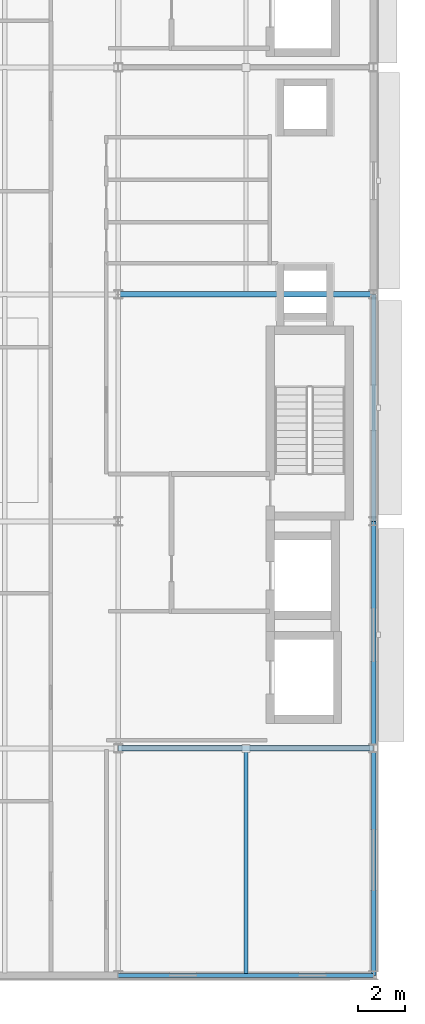
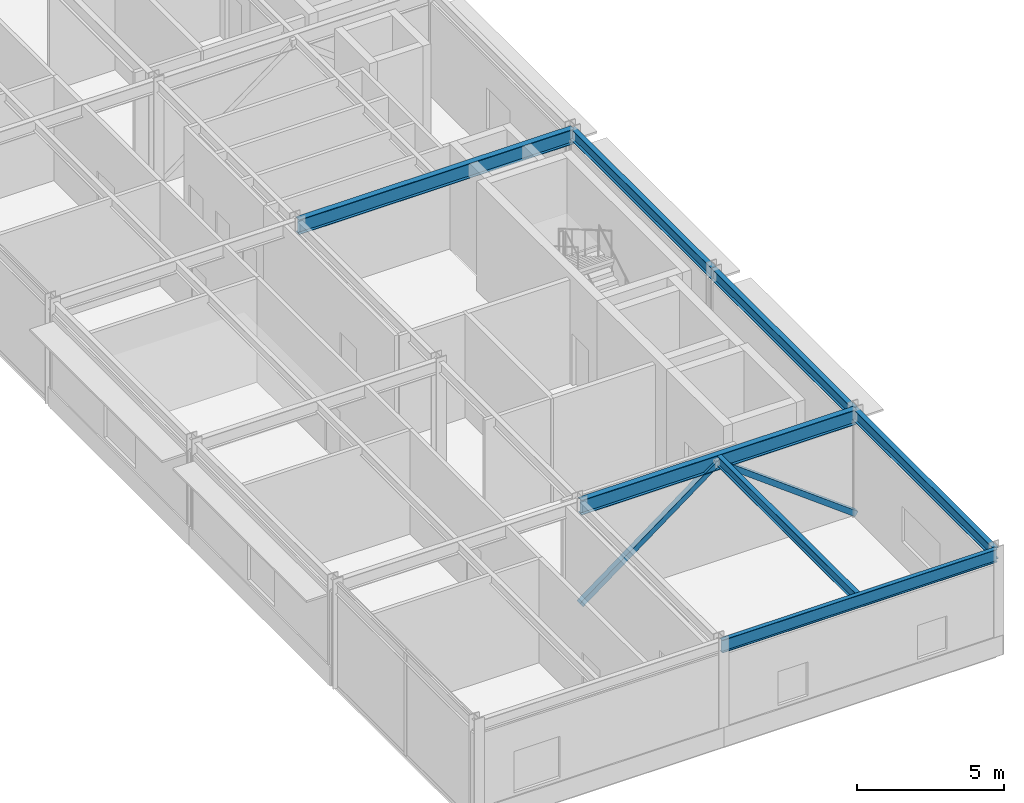
# One storey, part 69 of 116: 7 beams, 2 members.
"""IFC4 building model written with IfcOpenShell, lengths in metres."""

from ifc_helpers import new_model, si_unit, direction, frame, origin, origin_2d, place, context, subcontext, project, spatial, hollow_rectangle, i_section, extrude, material, material_profile, profile_set, type_object, element, save


model = new_model("IFC4")

# Units and contexts
model_context = context("Model", 3, precision=1e-05, world=origin(), true_north=direction((0.0, 1.0)))
body_context = subcontext(model_context, "Body", "Model", "MODEL_VIEW")
ifc_project = project(units=[si_unit("LENGTHUNIT", "METRE"), si_unit("AREAUNIT", "SQUARE_METRE"), si_unit("VOLUMEUNIT", "CUBIC_METRE"), si_unit("PLANEANGLEUNIT", "RADIAN"), si_unit("MASSUNIT", "GRAM", prefix="KILO")], contexts=[model_context])

# Site, building, storey
site_placement = place(None, origin())
site = spatial("IfcSite", under=ifc_project, at=site_placement, CompositionType="ELEMENT")
building_placement = place(site_placement, origin())
building = spatial("IfcBuilding", under=site, at=building_placement, Name="Almandine Court Research Institute", CompositionType="ELEMENT")
storey_placement = place(building_placement, frame((0.0, 0.0, 14.35009765625)))
storey = spatial("IfcBuildingStorey", under=building, at=storey_placement, Name="L03", CompositionType="ELEMENT", Elevation=14.35009765625)

# Beams
ifc_material_1 = material(Name="Steel ASTM A992 Grade 50", Category="steel")
ifc_material_profile_1 = material_profile(ifc_material_1, i_section(OverallWidth=0.178955078125, OverallDepth=0.409912109375, WebThickness=0.009033203125, FlangeThickness=0.013916015625, at=origin_2d()), Name="W410x67")
ifc_profile_set_1 = profile_set([ifc_material_profile_1], Name="Steel ASTM A992 Grade 50")
beam_type_1 = type_object("IfcBeamType", Name="Beam-B-02", PredefinedType="JOIST", material=ifc_profile_set_1)
beam_1_placement = place(storey_placement, frame((168.60009765625, 6.0810546875, 4.164794921875), z_axis=(0.0, 1.0, 0.0), x_axis=(-1.0, 0.0, 0.0)))
element("IfcBeam", 1, at=beam_1_placement, inside=storey, type_object=beam_type_1, Name="L03 V4 Composite Secondary Beam", PredefinedType="JOIST", context=body_context, shape_type="SweptSolid", body=[
    extrude(i_section(OverallWidth=0.178955078125, OverallDepth=0.409912109375, WebThickness=0.009033203125, FlangeThickness=0.013916015625, at=origin_2d()), origin(), (0.0, 0.0, 1.0), 9.406005859375),
])
ifc_material_profile_2 = material_profile(ifc_material_1, i_section(OverallWidth=0.22998046875, OverallDepth=0.616943359375, WebThickness=0.012939453125, FlangeThickness=0.02197265625, at=origin_2d()), Name="W610x140")
ifc_profile_set_2 = profile_set([ifc_material_profile_2], Name="Steel ASTM A992 Grade 50")
beam_type_2 = type_object("IfcBeamType", Name="Beam-G-02", PredefinedType="BEAM", material=ifc_profile_set_2)
for number, where, z_axis, x_axis, name in (
    (2, (163.199951171875, 15.60009765625, 4.06201171875), (1.0, 0.0, 0.0), (0.0, 1.0, 0.0), "L03 V4 Primary X Girder"),
    (3, (163.199951171875, 34.800048828125, 4.06201171875), (1.0, 0.0, 0.0), (0.0, 1.0, 0.0), "L03 V4 Primary X Girder"),
):
    element("IfcBeam", number, at=place(storey_placement, frame(where, z_axis=z_axis, x_axis=x_axis)), inside=storey, type_object=beam_type_2, Name=name, PredefinedType="BEAM", context=body_context, shape_type="SweptSolid", body=[
        extrude(i_section(OverallWidth=0.22998046875, OverallDepth=0.616943359375, WebThickness=0.012939453125, FlangeThickness=0.02197265625, at=origin_2d()), origin(), (0.0, 0.0, 1.0), 10.800048828125),
    ])
ifc_material_profile_3 = material_profile(ifc_material_1, i_section(OverallWidth=0.166015625, OverallDepth=0.534912109375, WebThickness=0.010009765625, FlangeThickness=0.01708984375, at=origin_2d()), Name="W530x85")
ifc_profile_set_3 = profile_set([ifc_material_profile_3], Name="Steel ASTM A992 Grade 50")
beam_type_3 = type_object("IfcBeamType", Name="Beam-G-05-E", PredefinedType="SPANDREL", material=ifc_profile_set_3)
beam_2_placement = place(storey_placement, frame((163.199951171875, 6.0, 4.102783203125), z_axis=(1.0, 0.0, 0.0), x_axis=(0.0, 1.0, 0.0)))
element("IfcBeam", 4, at=beam_2_placement, inside=storey, type_object=beam_type_3, Name="L03 V4 Primary X Girder", PredefinedType="SPANDREL", context=body_context, shape_type="SweptSolid", body=[
    extrude(i_section(OverallWidth=0.166015625, OverallDepth=0.534912109375, WebThickness=0.010009765625, FlangeThickness=0.01708984375, at=origin_2d()), origin(), (0.0, 0.0, 1.0), 10.800048828125),
])
ifc_material_profile_4 = material_profile(ifc_material_1, i_section(OverallWidth=0.193115234375, OverallDepth=0.466064453125, WebThickness=0.010986328125, FlangeThickness=0.01904296875, at=origin_2d()), Name="W460x97")
ifc_profile_set_4 = profile_set([ifc_material_profile_4], Name="Steel ASTM A992 Grade 50")
beam_type_4 = type_object("IfcBeamType", Name="Beam-G-06-E", PredefinedType="SPANDREL", material=ifc_profile_set_4)
beam_3_placement = place(storey_placement, frame((174.0, 6.0, 4.136962890625), z_axis=(0.0, 1.0, 0.0), x_axis=(-1.0, 0.0, 0.0)))
element("IfcBeam", 5, at=beam_3_placement, inside=storey, type_object=beam_type_4, Name="L03 V4 Primary Y Girder", PredefinedType="SPANDREL", context=body_context, shape_type="SweptSolid", body=[
    extrude(i_section(OverallWidth=0.193115234375, OverallDepth=0.466064453125, WebThickness=0.010986328125, FlangeThickness=0.01904296875, at=origin_2d()), origin(), (0.0, 0.0, 1.0), 9.60009765625),
])
beam_4_placement = place(storey_placement, frame((174.0, 15.60009765625, 4.136962890625), z_axis=(0.0, 1.0, 0.0), x_axis=(-1.0, 0.0, 0.0)))
element("IfcBeam", 6, at=beam_4_placement, inside=storey, type_object=beam_type_4, Name="L03 V4 Primary Y Girder", PredefinedType="SPANDREL", context=body_context, shape_type="SweptSolid", body=[
    extrude(i_section(OverallWidth=0.193115234375, OverallDepth=0.466064453125, WebThickness=0.010986328125, FlangeThickness=0.01904296875, at=origin_2d()), origin(), (0.0, 0.0, 1.0), 9.599853515625),
])
beam_5_placement = place(storey_placement, frame((174.0, 25.199951171875, 4.136962890625), z_axis=(0.0, 1.0, 0.0), x_axis=(-1.0, 0.0, 0.0)))
element("IfcBeam", 7, at=beam_5_placement, inside=storey, type_object=beam_type_4, Name="L03 V4 Primary Y Girder", PredefinedType="SPANDREL", context=body_context, shape_type="SweptSolid", body=[
    extrude(i_section(OverallWidth=0.193115234375, OverallDepth=0.466064453125, WebThickness=0.010986328125, FlangeThickness=0.01904296875, at=origin_2d()), origin(), (0.0, 0.0, 1.0), 9.60009765625),
])

# Members
ifc_material_2 = material(Name="Steel ASTM A500 Grade C", Category="steel")
ifc_material_profile_5 = material_profile(ifc_material_2, hollow_rectangle(XDim=0.219970703125, YDim=0.219970703125, WallThickness=0.010009765625, at=origin_2d()), Name="HSS 220x220x10")
ifc_profile_set_5 = profile_set([ifc_material_profile_5], Name="Steel ASTM A500 Grade C")
member_type = type_object("IfcMemberType", Name="Mem-BF-BR1", PredefinedType="BRACE", material=ifc_profile_set_5)
member_1_placement = place(storey_placement, frame((163.199951171875, 15.60009765625, 0.02001953125), z_axis=(0.801445555519, 0.0, 0.598067739925), x_axis=(0.0, 1.0, 0.0)))
element("IfcMember", 8, at=member_1_placement, inside=storey, type_object=member_type, Name="L03 Seismic Chevron Brace V4-BF1 Left", PredefinedType="BRACE", context=body_context, shape_type="SweptSolid", body=[
    extrude(hollow_rectangle(XDim=0.219970703125, YDim=0.219970703125, WallThickness=0.010009765625, at=origin_2d()), origin(), (0.0, 0.0, 1.0), 6.738037109375),
])
member_2_placement = place(storey_placement, frame((174.0, 15.60009765625, 0.02001953125), z_axis=(-0.801432594827, 0.0, 0.598085107614), x_axis=(0.0, -1.0, 0.0)))
element("IfcMember", 9, at=member_2_placement, inside=storey, type_object=member_type, Name="L03 Seismic Chevron Brace V4-BF1 Right", PredefinedType="BRACE", context=body_context, shape_type="SweptSolid", body=[
    extrude(hollow_rectangle(XDim=0.219970703125, YDim=0.219970703125, WallThickness=0.010009765625, at=origin_2d()), origin(), (0.0, 0.0, 1.0), 6.73779296875),
])

save(model, "model.ifc")
